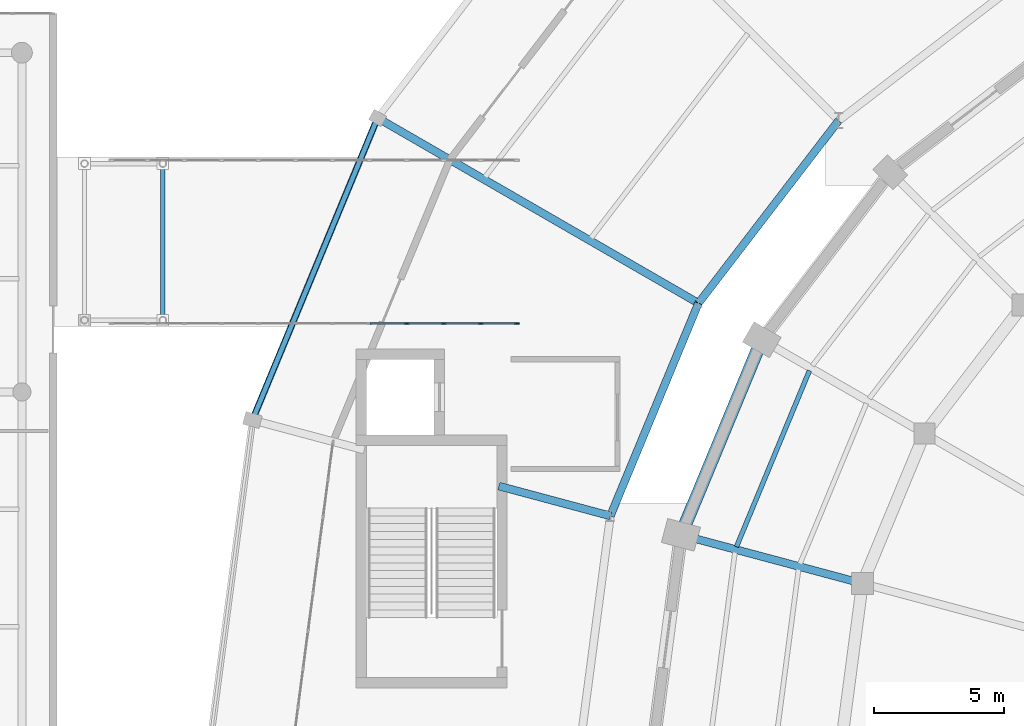
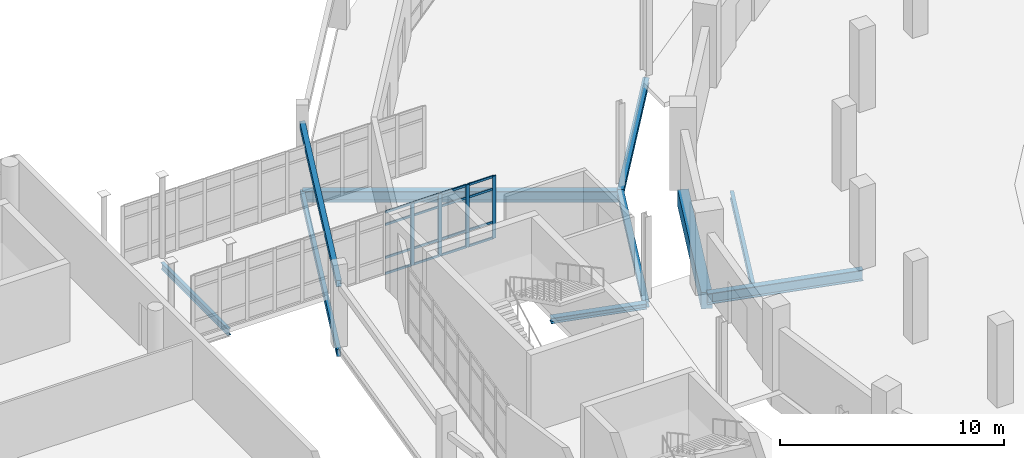
# One storey, part 49 of 122: 20 members, 10 beams, 1 element without a shape of its own.
"""IFC4 building model written with IfcOpenShell, lengths in metres."""

from ifc_helpers import new_model, si_unit, direction, frame, origin, origin_2d, place, context, subcontext, project, spatial, rectangle, hollow_rectangle, i_section, extrude, material, layer, layer_set, material_profile, profile_set, type_object, element, aggregate, save


model = new_model("IFC4")

# Units and contexts
model_context = context("Model", 3, precision=1e-05, world=origin(), true_north=direction((0.0, 1.0)))
body_context = subcontext(model_context, "Body", "Model", "MODEL_VIEW")
ifc_project = project(units=[si_unit("LENGTHUNIT", "METRE"), si_unit("AREAUNIT", "SQUARE_METRE"), si_unit("VOLUMEUNIT", "CUBIC_METRE"), si_unit("PLANEANGLEUNIT", "RADIAN"), si_unit("MASSUNIT", "GRAM", prefix="KILO")], contexts=[model_context])

# Site, building, storey
site_placement = place(None, origin())
site = spatial("IfcSite", under=ifc_project, at=site_placement, CompositionType="ELEMENT")
building_placement = place(site_placement, origin())
building = spatial("IfcBuilding", under=site, at=building_placement, Name="Sohan Crest Arena", CompositionType="ELEMENT")
storey_placement = place(building_placement, origin())
storey = spatial("IfcBuildingStorey", under=building, at=storey_placement, Name="L00", CompositionType="ELEMENT", Elevation=0.0)

# Curtain wall, members
ifc_material_1 = material(Name="Thermally broken anodised aluminium", Category="aluminium")
ifc_layer = layer(ifc_material_1, 0.18994140625, Name="Thermally broken anodised aluminium")
ifc_layer_set = layer_set([ifc_layer], Name="Thermally broken anodised aluminium")
curtain_wall_type = type_object("IfcCurtainWallType", Name="ARC-CW05", PredefinedType="NOTDEFINED", material=ifc_layer_set)
curtain_wall_placement = place(storey_placement, origin())
curtain_wall = element("IfcCurtainWall", 1, at=curtain_wall_placement, inside=storey, type_object=curtain_wall_type, Name="Unitised curtain wall CW-231", PredefinedType="NOTDEFINED")
ifc_material_profile_1 = material_profile(ifc_material_1, rectangle(XDim=0.06494140625, YDim=0.179931640625, at=origin_2d()), Name="ALU-MULL 65x180")
ifc_profile_set_1 = profile_set([ifc_material_profile_1], Name="Thermally broken anodised aluminium")
member_type_1 = type_object("IfcMemberType", Name="ARC-CW-ML02", PredefinedType="MULLION", material=ifc_profile_set_1)
member_1_placement = place(storey_placement, frame((57.54541015625, 94.1201171875, 0.0), z_axis=(0.0, 0.0, 1.0), x_axis=(0.0, 1.0, 0.0)))
member_1 = element("IfcMember", 2, at=member_1_placement, type_object=member_type_1, Name="CW-231 mullion 9", PredefinedType="MULLION", context=body_context, shape_type="SweptSolid", body=[
    extrude(rectangle(XDim=0.06494140625, YDim=0.179931640625, at=origin_2d()), origin(), (0.0, 0.0, 1.0), 3.39990234375),
])
member_2_placement = place(storey_placement, frame((58.963623046875, 94.1201171875, 0.0), z_axis=(0.0, 0.0, 1.0), x_axis=(0.0, 1.0, 0.0)))
member_2 = element("IfcMember", 3, at=member_2_placement, type_object=member_type_1, Name="CW-231 mullion 10", PredefinedType="MULLION", context=body_context, shape_type="SweptSolid", body=[
    extrude(rectangle(XDim=0.06494140625, YDim=0.179931640625, at=origin_2d()), origin(), (0.0, 0.0, 1.0), 3.39990234375),
])
member_3_placement = place(storey_placement, frame((60.3818359375, 94.1201171875, 0.0), z_axis=(0.0, 0.0, 1.0), x_axis=(0.0, 1.0, 0.0)))
member_3 = element("IfcMember", 4, at=member_3_placement, type_object=member_type_1, Name="CW-231 mullion 11", PredefinedType="MULLION", context=body_context, shape_type="SweptSolid", body=[
    extrude(rectangle(XDim=0.06494140625, YDim=0.179931640625, at=origin_2d()), origin(), (0.0, 0.0, 1.0), 3.39990234375),
])
member_4_placement = place(storey_placement, frame((61.767578125, 94.1201171875, 0.0), z_axis=(0.0, 0.0, 1.0), x_axis=(0.0, 1.0, 0.0)))
member_4 = element("IfcMember", 5, at=member_4_placement, type_object=member_type_1, Name="CW-231 mullion 12", PredefinedType="MULLION", context=body_context, shape_type="SweptSolid", body=[
    extrude(rectangle(XDim=0.06494140625, YDim=0.179931640625, at=origin_2d()), origin(), (0.0, 0.0, 1.0), 3.39990234375),
])
ifc_material_profile_2 = material_profile(ifc_material_1, rectangle(XDim=0.06005859375, YDim=0.1201171875, at=origin_2d()), Name="ALU-TRAN 60x120")
ifc_profile_set_2 = profile_set([ifc_material_profile_2], Name="Thermally broken anodised aluminium")
member_type_2 = type_object("IfcMemberType", Name="ARC-CW-TR01", PredefinedType="USERDEFINED", material=ifc_profile_set_2)
member_5_placement = place(storey_placement, frame((56.15966796875, 94.1201171875, 0.030029296875), z_axis=(1.0, 0.0, 0.0), x_axis=(0.0, 1.0, 0.0)))
member_5 = element("IfcMember", 6, at=member_5_placement, type_object=member_type_2, Name="CW-231 transom 8.1", ObjectType="TRANSOM", PredefinedType="USERDEFINED", context=body_context, shape_type="SweptSolid", body=[
    extrude(rectangle(XDim=0.06005859375, YDim=0.1201171875, at=origin_2d()), origin(), (0.0, 0.0, 1.0), 1.353271484375),
])
member_6_placement = place(storey_placement, frame((56.15966796875, 94.1201171875, 0.89990234375), z_axis=(1.0, 0.0, 0.0), x_axis=(0.0, 1.0, 0.0)))
member_6 = element("IfcMember", 7, at=member_6_placement, type_object=member_type_2, Name="CW-231 transom 8.2", ObjectType="TRANSOM", PredefinedType="USERDEFINED", context=body_context, shape_type="SweptSolid", body=[
    extrude(rectangle(XDim=0.06005859375, YDim=0.1201171875, at=origin_2d()), origin(), (0.0, 0.0, 1.0), 1.353271484375),
])
member_7_placement = place(storey_placement, frame((56.15966796875, 94.1201171875, 2.699951171875), z_axis=(1.0, 0.0, 0.0), x_axis=(0.0, 1.0, 0.0)))
member_7 = element("IfcMember", 8, at=member_7_placement, type_object=member_type_2, Name="CW-231 transom 8.3", ObjectType="TRANSOM", PredefinedType="USERDEFINED", context=body_context, shape_type="SweptSolid", body=[
    extrude(rectangle(XDim=0.06005859375, YDim=0.1201171875, at=origin_2d()), origin(), (0.0, 0.0, 1.0), 1.353271484375),
])
member_8_placement = place(storey_placement, frame((56.15966796875, 94.1201171875, 3.3701171875), z_axis=(1.0, 0.0, 0.0), x_axis=(0.0, 1.0, 0.0)))
member_8 = element("IfcMember", 9, at=member_8_placement, type_object=member_type_2, Name="CW-231 transom 8.4", ObjectType="TRANSOM", PredefinedType="USERDEFINED", context=body_context, shape_type="SweptSolid", body=[
    extrude(rectangle(XDim=0.06005859375, YDim=0.1201171875, at=origin_2d()), origin(), (0.0, 0.0, 1.0), 1.353271484375),
])
member_9_placement = place(storey_placement, frame((57.577880859375, 94.1201171875, 0.030029296875), z_axis=(1.0, 0.0, 0.0), x_axis=(0.0, 1.0, 0.0)))
member_9 = element("IfcMember", 10, at=member_9_placement, type_object=member_type_2, Name="CW-231 transom 9.1", ObjectType="TRANSOM", PredefinedType="USERDEFINED", context=body_context, shape_type="SweptSolid", body=[
    extrude(rectangle(XDim=0.06005859375, YDim=0.1201171875, at=origin_2d()), origin(), (0.0, 0.0, 1.0), 1.353271484375),
])
member_10_placement = place(storey_placement, frame((57.577880859375, 94.1201171875, 0.89990234375), z_axis=(1.0, 0.0, 0.0), x_axis=(0.0, 1.0, 0.0)))
member_10 = element("IfcMember", 11, at=member_10_placement, type_object=member_type_2, Name="CW-231 transom 9.2", ObjectType="TRANSOM", PredefinedType="USERDEFINED", context=body_context, shape_type="SweptSolid", body=[
    extrude(rectangle(XDim=0.06005859375, YDim=0.1201171875, at=origin_2d()), origin(), (0.0, 0.0, 1.0), 1.353271484375),
])
member_11_placement = place(storey_placement, frame((57.577880859375, 94.1201171875, 2.699951171875), z_axis=(1.0, 0.0, 0.0), x_axis=(0.0, 1.0, 0.0)))
member_11 = element("IfcMember", 12, at=member_11_placement, type_object=member_type_2, Name="CW-231 transom 9.3", ObjectType="TRANSOM", PredefinedType="USERDEFINED", context=body_context, shape_type="SweptSolid", body=[
    extrude(rectangle(XDim=0.06005859375, YDim=0.1201171875, at=origin_2d()), origin(), (0.0, 0.0, 1.0), 1.353271484375),
])
member_12_placement = place(storey_placement, frame((57.577880859375, 94.1201171875, 3.3701171875), z_axis=(1.0, 0.0, 0.0), x_axis=(0.0, 1.0, 0.0)))
member_12 = element("IfcMember", 13, at=member_12_placement, type_object=member_type_2, Name="CW-231 transom 9.4", ObjectType="TRANSOM", PredefinedType="USERDEFINED", context=body_context, shape_type="SweptSolid", body=[
    extrude(rectangle(XDim=0.06005859375, YDim=0.1201171875, at=origin_2d()), origin(), (0.0, 0.0, 1.0), 1.353271484375),
])
member_13_placement = place(storey_placement, frame((58.99609375, 94.1201171875, 0.030029296875), z_axis=(1.0, 0.0, 0.0), x_axis=(0.0, 1.0, 0.0)))
member_13 = element("IfcMember", 14, at=member_13_placement, type_object=member_type_2, Name="CW-231 transom 10.1", ObjectType="TRANSOM", PredefinedType="USERDEFINED", context=body_context, shape_type="SweptSolid", body=[
    extrude(rectangle(XDim=0.06005859375, YDim=0.1201171875, at=origin_2d()), origin(), (0.0, 0.0, 1.0), 1.353271484375),
])
member_14_placement = place(storey_placement, frame((58.99609375, 94.1201171875, 0.89990234375), z_axis=(1.0, 0.0, 0.0), x_axis=(0.0, 1.0, 0.0)))
member_14 = element("IfcMember", 15, at=member_14_placement, type_object=member_type_2, Name="CW-231 transom 10.2", ObjectType="TRANSOM", PredefinedType="USERDEFINED", context=body_context, shape_type="SweptSolid", body=[
    extrude(rectangle(XDim=0.06005859375, YDim=0.1201171875, at=origin_2d()), origin(), (0.0, 0.0, 1.0), 1.353271484375),
])
member_15_placement = place(storey_placement, frame((58.99609375, 94.1201171875, 2.699951171875), z_axis=(1.0, 0.0, 0.0), x_axis=(0.0, 1.0, 0.0)))
member_15 = element("IfcMember", 16, at=member_15_placement, type_object=member_type_2, Name="CW-231 transom 10.3", ObjectType="TRANSOM", PredefinedType="USERDEFINED", context=body_context, shape_type="SweptSolid", body=[
    extrude(rectangle(XDim=0.06005859375, YDim=0.1201171875, at=origin_2d()), origin(), (0.0, 0.0, 1.0), 1.353271484375),
])
member_16_placement = place(storey_placement, frame((58.99609375, 94.1201171875, 3.3701171875), z_axis=(1.0, 0.0, 0.0), x_axis=(0.0, 1.0, 0.0)))
member_16 = element("IfcMember", 17, at=member_16_placement, type_object=member_type_2, Name="CW-231 transom 10.4", ObjectType="TRANSOM", PredefinedType="USERDEFINED", context=body_context, shape_type="SweptSolid", body=[
    extrude(rectangle(XDim=0.06005859375, YDim=0.1201171875, at=origin_2d()), origin(), (0.0, 0.0, 1.0), 1.353271484375),
])
member_17_placement = place(storey_placement, frame((60.414306640625, 94.1201171875, 0.030029296875), z_axis=(1.0, 0.0, 0.0), x_axis=(0.0, 1.0, 0.0)))
member_17 = element("IfcMember", 18, at=member_17_placement, type_object=member_type_2, Name="CW-231 transom 11.1", ObjectType="TRANSOM", PredefinedType="USERDEFINED", context=body_context, shape_type="SweptSolid", body=[
    extrude(rectangle(XDim=0.06005859375, YDim=0.1201171875, at=origin_2d()), origin(), (0.0, 0.0, 1.0), 1.32080078125),
])
member_18_placement = place(storey_placement, frame((60.414306640625, 94.1201171875, 0.89990234375), z_axis=(1.0, 0.0, 0.0), x_axis=(0.0, 1.0, 0.0)))
member_18 = element("IfcMember", 19, at=member_18_placement, type_object=member_type_2, Name="CW-231 transom 11.2", ObjectType="TRANSOM", PredefinedType="USERDEFINED", context=body_context, shape_type="SweptSolid", body=[
    extrude(rectangle(XDim=0.06005859375, YDim=0.1201171875, at=origin_2d()), origin(), (0.0, 0.0, 1.0), 1.32080078125),
])
member_19_placement = place(storey_placement, frame((60.414306640625, 94.1201171875, 2.699951171875), z_axis=(1.0, 0.0, 0.0), x_axis=(0.0, 1.0, 0.0)))
member_19 = element("IfcMember", 20, at=member_19_placement, type_object=member_type_2, Name="CW-231 transom 11.3", ObjectType="TRANSOM", PredefinedType="USERDEFINED", context=body_context, shape_type="SweptSolid", body=[
    extrude(rectangle(XDim=0.06005859375, YDim=0.1201171875, at=origin_2d()), origin(), (0.0, 0.0, 1.0), 1.32080078125),
])
member_20_placement = place(storey_placement, frame((60.414306640625, 94.1201171875, 3.3701171875), z_axis=(1.0, 0.0, 0.0), x_axis=(0.0, 1.0, 0.0)))
member_20 = element("IfcMember", 21, at=member_20_placement, type_object=member_type_2, Name="CW-231 transom 11.4", ObjectType="TRANSOM", PredefinedType="USERDEFINED", context=body_context, shape_type="SweptSolid", body=[
    extrude(rectangle(XDim=0.06005859375, YDim=0.1201171875, at=origin_2d()), origin(), (0.0, 0.0, 1.0), 1.32080078125),
])
aggregate(curtain_wall, [member_1, member_2, member_3, member_4, member_5, member_6, member_7, member_8, member_9, member_10, member_11, member_12, member_13, member_14, member_15, member_16, member_17, member_18, member_19, member_20])

# Beams
ifc_material_2 = material(Name="Steel S355", Category="steel")
ifc_material_profile_3 = material_profile(ifc_material_2, i_section(OverallWidth=0.169921875, OverallDepth=0.360107421875, WebThickness=0.008056640625, FlangeThickness=0.0126953125, at=origin_2d()), Name="IPE 360")
ifc_profile_set_3 = profile_set([ifc_material_profile_3], Name="Steel S355")
beam_type_1 = type_object("IfcBeamType", Name="STR-BM-B02", PredefinedType="JOIST", material=ifc_profile_set_3)
beam_1_placement = place(storey_placement, frame((48.199951171875, 94.25, -0.455078125), z_axis=(0.0, 1.0, 0.0), x_axis=(-1.0, 0.0, 0.0)))
element("IfcBeam", 22, at=beam_1_placement, inside=storey, type_object=beam_type_1, Name="Structural beam BG-L00-2943", PredefinedType="JOIST", context=body_context, shape_type="SweptSolid", body=[
    extrude(i_section(OverallWidth=0.169921875, OverallDepth=0.360107421875, WebThickness=0.008056640625, FlangeThickness=0.0126953125, at=origin_2d()), origin(), (0.0, 0.0, 1.0), 6.0),
])
ifc_material_profile_4 = material_profile(ifc_material_2, i_section(OverallWidth=0.179931640625, OverallDepth=0.39990234375, WebThickness=0.008544921875, FlangeThickness=0.013427734375, at=origin_2d()), Name="IPE 400")
ifc_profile_set_4 = profile_set([ifc_material_profile_4], Name="Steel S355")
beam_type_2 = type_object("IfcBeamType", Name="STR-BM-B03", PredefinedType="JOIST", material=ifc_profile_set_4)
beam_2_placement = place(storey_placement, frame((72.98193359375, 92.318115234375, -0.449951171875), z_axis=(-0.382800197818, -0.923831158032, 0.0), x_axis=(0.923831158032, -0.382800197818, 0.0)))
element("IfcBeam", 23, at=beam_2_placement, inside=storey, type_object=beam_type_2, Name="Structural beam J-L00-0151", PredefinedType="JOIST", context=body_context, shape_type="SweptSolid", body=[
    extrude(i_section(OverallWidth=0.179931640625, OverallDepth=0.39990234375, WebThickness=0.008544921875, FlangeThickness=0.013427734375, at=origin_2d()), origin(), (0.0, 0.0, 1.0), 7.308837890625),
])
ifc_material_profile_5 = material_profile(ifc_material_2, i_section(OverallWidth=0.300048828125, OverallDepth=0.590087890625, WebThickness=0.012939453125, FlangeThickness=0.02490234375, at=origin_2d()), Name="HEA 600")
ifc_profile_set_5 = profile_set([ifc_material_profile_5], Name="Steel S355")
beam_type_3 = type_object("IfcBeamType", Name="STR-BM-B11", PredefinedType="BEAM", material=ifc_profile_set_5)
beam_3_placement = place(storey_placement, frame((75.010986328125, 84.159912109375, -0.544921875), z_axis=(-0.965945630245, 0.258745124417, 0.0), x_axis=(-0.258745124417, -0.965945630245, 0.0)))
element("IfcBeam", 24, at=beam_3_placement, inside=storey, type_object=beam_type_3, Name="Structural beam G-L00-0171", PredefinedType="BEAM", context=body_context, shape_type="SweptSolid", body=[
    extrude(i_section(OverallWidth=0.300048828125, OverallDepth=0.590087890625, WebThickness=0.012939453125, FlangeThickness=0.02490234375, at=origin_2d()), origin(), (0.0, 0.0, 1.0), 7.2001953125),
])
beam_4_placement = place(storey_placement, frame((68.72802734375, 94.89990234375, -0.570068359375), z_axis=(-0.86601465089, 0.500018624098, 0.0), x_axis=(-0.500018624098, -0.86601465089, 0.0)))
element("IfcBeam", 25, at=beam_4_placement, inside=storey, type_object=beam_type_3, Name="Structural beam G-L00-0922", PredefinedType="BEAM", context=body_context, shape_type="SweptSolid", body=[
    extrude(i_section(OverallWidth=0.300048828125, OverallDepth=0.590087890625, WebThickness=0.012939453125, FlangeThickness=0.02490234375, at=origin_2d()), origin(), (0.0, 0.0, 1.0), 14.19970703125),
])
ifc_material_profile_6 = material_profile(ifc_material_2, i_section(OverallWidth=0.300048828125, OverallDepth=0.300048828125, WebThickness=0.010986328125, FlangeThickness=0.01904296875, at=origin_2d()), Name="HEB 300")
ifc_profile_set_6 = profile_set([ifc_material_profile_6], Name="Steel S355")
beam_type_4 = type_object("IfcBeamType", Name="STR-BM-B12", PredefinedType="BEAM", material=ifc_profile_set_6)
beam_5_placement = place(storey_placement, frame((74.10009765625, 101.89990234375, -0.425048828125), z_axis=(-0.608817165336, -0.793310569192, 0.0), x_axis=(0.793310569192, -0.608817165336, 0.0)))
element("IfcBeam", 26, at=beam_5_placement, inside=storey, type_object=beam_type_4, Name="Structural beam G-L00-0917", PredefinedType="BEAM", context=body_context, shape_type="SweptSolid", body=[
    extrude(i_section(OverallWidth=0.300048828125, OverallDepth=0.300048828125, WebThickness=0.010986328125, FlangeThickness=0.01904296875, at=origin_2d()), origin(), (0.0, 0.0, 1.0), 8.82373046875),
])
beam_6_placement = place(storey_placement, frame((68.72802734375, 94.89990234375, -0.425048828125), z_axis=(-0.38262224111, -0.923904876385, 0.0), x_axis=(0.923904876385, -0.38262224111, 0.0)))
element("IfcBeam", 27, at=beam_6_placement, inside=storey, type_object=beam_type_4, Name="Structural beam G-L00-0923", PredefinedType="BEAM", context=body_context, shape_type="SweptSolid", body=[
    extrude(i_section(OverallWidth=0.300048828125, OverallDepth=0.300048828125, WebThickness=0.010986328125, FlangeThickness=0.01904296875, at=origin_2d()), origin(), (0.0, 0.0, 1.0), 8.8232421875),
])
beam_7_placement = place(storey_placement, frame((65.35205078125, 86.748046875, -0.425048828125), z_axis=(-0.965906157738, 0.258892437981, 0.0), x_axis=(-0.258892437981, -0.965906157738, 0.0)))
element("IfcBeam", 28, at=beam_7_placement, inside=storey, type_object=beam_type_4, Name="Structural beam G-L00-0926", PredefinedType="BEAM", context=body_context, shape_type="SweptSolid", body=[
    extrude(i_section(OverallWidth=0.300048828125, OverallDepth=0.300048828125, WebThickness=0.010986328125, FlangeThickness=0.01904296875, at=origin_2d()), origin(), (0.0, 0.0, 1.0), 4.4228515625),
])
ifc_material_profile_7 = material_profile(ifc_material_2, hollow_rectangle(XDim=0.25, YDim=0.35009765625, WallThickness=0.012451171875, at=origin_2d()), Name="RHS 350x250x12.5")
ifc_profile_set_7 = profile_set([ifc_material_profile_7], Name="Steel S355")
beam_type_5 = type_object("IfcBeamType", Name="STR-BM-SP04", PredefinedType="SPANDREL", material=ifc_profile_set_7)
beam_8_placement = place(storey_placement, frame((56.430908203125, 102.0, 3.300048828125), z_axis=(-0.382656941645, -0.923890504882, 0.0), x_axis=(0.923890504882, -0.382656941645, 0.0)))
element("IfcBeam", 29, at=beam_8_placement, inside=storey, type_object=beam_type_5, Name="Structural beam ARC-L00-0925", PredefinedType="SPANDREL", context=body_context, shape_type="SweptSolid", body=[
    extrude(hollow_rectangle(XDim=0.25, YDim=0.35009765625, WallThickness=0.012451171875, at=origin_2d()), origin(), (0.0, 0.0, 1.0), 12.530517578125),
])
ifc_material_profile_8 = material_profile(ifc_material_2, hollow_rectangle(XDim=0.199951171875, YDim=0.39990234375, WallThickness=0.012451171875, at=origin_2d()), Name="RHS 400x200x12.5")
ifc_profile_set_8 = profile_set([ifc_material_profile_8], Name="Steel S355")
beam_type_6 = type_object("IfcBeamType", Name="STR-BM-SP05", PredefinedType="SPANDREL", material=ifc_profile_set_8)
beam_9_placement = place(storey_placement, frame((56.430908203125, 102.0, -0.47509765625), z_axis=(-0.382656941645, -0.923890504882, 0.0), x_axis=(0.923890504882, -0.382656941645, 0.0)))
element("IfcBeam", 30, at=beam_9_placement, inside=storey, type_object=beam_type_6, Name="Structural beam SP-L00-0924", PredefinedType="SPANDREL", context=body_context, shape_type="SweptSolid", body=[
    extrude(hollow_rectangle(XDim=0.199951171875, YDim=0.39990234375, WallThickness=0.012451171875, at=origin_2d()), origin(), (0.0, 0.0, 1.0), 12.530517578125),
])
ifc_material_3 = material(Name="Concrete C40/50", Category="concrete")
ifc_material_profile_9 = material_profile(ifc_material_3, rectangle(XDim=0.5, YDim=0.89990234375, at=origin_2d()), Name="RC-BM 500x900")
ifc_profile_set_9 = profile_set([ifc_material_profile_9], Name="Concrete C40/50")
beam_type_7 = type_object("IfcBeamType", Name="STR-BM-TB03", PredefinedType="BEAM", material=ifc_profile_set_9)
beam_10_placement = place(storey_placement, frame((71.153076171875, 93.5, -0.699951171875), z_axis=(-0.382691039498, -0.923876381497, 0.0), x_axis=(0.923876381497, -0.382691039498, 0.0)))
element("IfcBeam", 31, at=beam_10_placement, inside=storey, type_object=beam_type_7, Name="Structural beam TB-L00-0148", PredefinedType="BEAM", context=body_context, shape_type="SweptSolid", body=[
    extrude(rectangle(XDim=0.5, YDim=0.89990234375, at=origin_2d()), origin(), (0.0, 0.0, 1.0), 8.093017578125),
])

save(model, "model.ifc")
